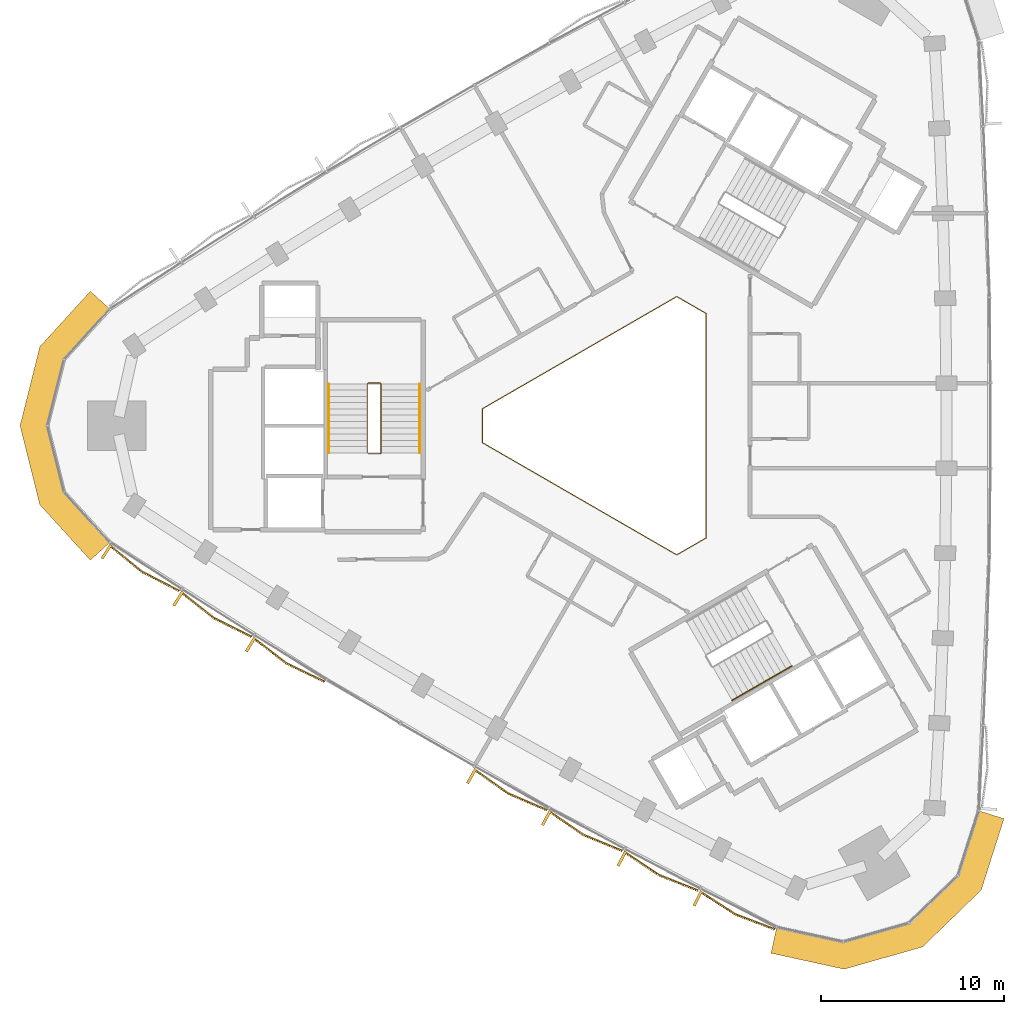
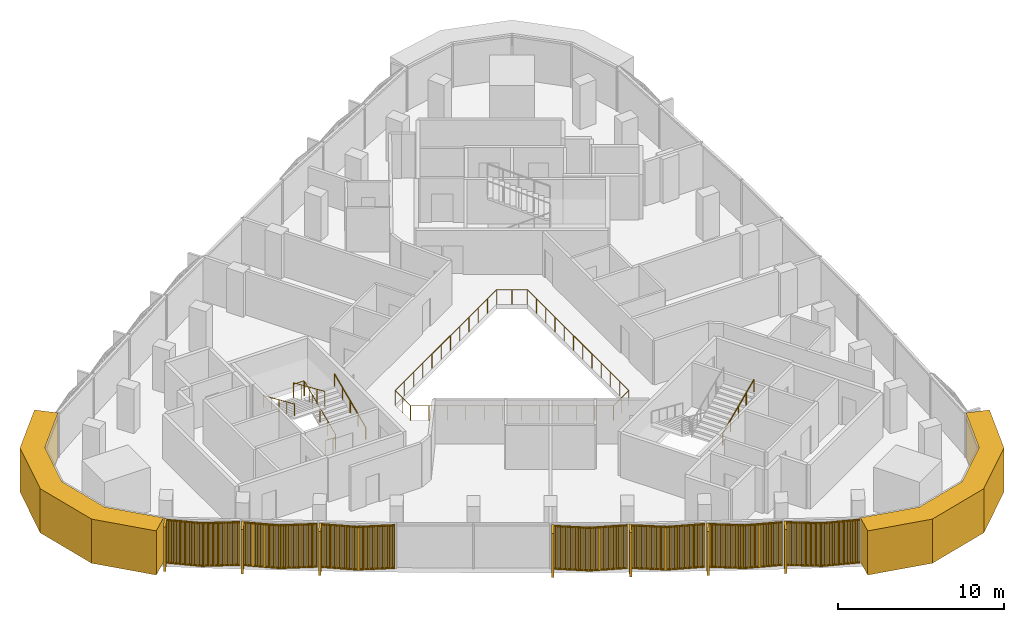
# One storey, part 11 of 13: 9 coverings, 5 railings.
"""IFC4 building model written with IfcOpenShell, lengths in metres."""

from ifc_helpers import new_model, si_unit, direction, frame, frame_2d, origin, origin_2d, place, context, subcontext, project, spatial, polyline, rectangle, circle, outline, extrude, source, transform, mapped, material, layer, layer_set, type_object, element, save


model = new_model("IFC4")

# Units and contexts
model_context = context("Model", 3, precision=1e-05, world=origin(), true_north=direction((0.0, 1.0)))
body_context = subcontext(model_context, "Body", "Model", "MODEL_VIEW")
ifc_project = project(units=[si_unit("LENGTHUNIT", "METRE"), si_unit("AREAUNIT", "SQUARE_METRE"), si_unit("VOLUMEUNIT", "CUBIC_METRE"), si_unit("PLANEANGLEUNIT", "RADIAN"), si_unit("MASSUNIT", "GRAM", prefix="KILO")], contexts=[model_context])

# Site, building, storey
site_placement = place(None, origin())
site = spatial("IfcSite", under=ifc_project, at=site_placement, CompositionType="ELEMENT")
building_placement = place(site_placement, origin())
building = spatial("IfcBuilding", under=site, at=building_placement, Name="Tamra Quay Hotel Tower", CompositionType="ELEMENT")
storey_placement = place(building_placement, frame((0.0, 0.0, 193.60009765625)))
storey = spatial("IfcBuildingStorey", under=building, at=storey_placement, Name="L48", CompositionType="ELEMENT", Elevation=193.60009765625)

# Coverings
ifc_material_1 = material(Name="Precast concrete M60 terracotta-coloured", Category="masonry")
ifc_layer = layer(ifc_material_1, 1.449951171875)
ifc_layer_set = layer_set([ifc_layer], Name="CORNER PIER PANEL")
covering_type_1 = type_object("IfcCoveringType", Name="CORNER PIER PANEL", PredefinedType="CLADDING", material=ifc_layer_set)
covering_1_placement = place(storey_placement, origin())
element("IfcCovering", 1, at=covering_1_placement, inside=storey, type_object=covering_type_1, Name="Corner pier L48.north-west", PredefinedType="CLADDING", context=body_context, shape_type="SweptSolid", body=[
    extrude(outline(polyline([(-27.928955078125, 6.36376953125), (-29.000732421875, 7.34033203125), (-31.754150390625, 4.318359375), (-32.83984375, 0.0), (-31.754150390625, -4.318359375), (-29.000732421875, -7.34033203125), (-27.928955078125, -6.36376953125), (-30.436767578125, -3.611083984375), (-31.3447265625, 0.0), (-30.436767578125, 3.611083984375), (-27.928955078125, 6.36376953125)])), origin(), (0.0, 0.0, 1.0), 3.25),
])
covering_2_placement = place(storey_placement, origin())
element("IfcCovering", 2, at=covering_2_placement, inside=storey, type_object=covering_type_1, Name="Corner pier L48.south-west", PredefinedType="CLADDING", context=body_context, shape_type="SweptSolid", body=[
    extrude(outline(polyline([(8.453369140625, -27.369140625), (8.1435546875, -28.78564453125), (12.13720703125, -29.6591796875), (16.419921875, -28.440185546875), (19.616943359375, -25.3408203125), (20.857421875, -21.4453125), (19.4755859375, -21.00537109375), (18.345703125, -24.553466796875), (15.67236328125, -27.1455078125), (12.091064453125, -28.164794921875), (8.453369140625, -27.369140625)])), origin(), (0.0, 0.0, 1.0), 3.25),
])

# Railings
ifc_material_2 = material(Name="Guard atrium edge 1100")
railing_type_1 = type_object("IfcRailingType", Name="Guard atrium edge 1100", PredefinedType="GUARDRAIL", material=ifc_material_2)
railing_1_placement = place(storey_placement, frame((4.60009765625, -6.1201171875, 0.0)))
element("IfcRailing", 3, at=railing_1_placement, inside=storey, type_object=railing_type_1, Name="G-A", PredefinedType="GUARDRAIL", context=body_context, shape_type="SweptSolid", body=[
    extrude(circle(Radius=0.02392578125, at=origin_2d()), frame((0.0, 0.0, 1.076171875), z_axis=(-0.86602275259, -0.500004591975, 0.0), x_axis=(0.500004591975, -0.86602275259, 0.0)), (0.0, 0.0, 1.0), 1.84765625),
    extrude(circle(Radius=0.02392578125, at=origin_2d()), frame((-1.60009765625, -0.923828125, 1.076171875), z_axis=(-0.866028806638, 0.499994106039, 0.0), x_axis=(-0.499994106039, -0.866028806638, 0.0)), (0.0, 0.0, 1.0), 12.239990234375),
    extrude(circle(Radius=0.02392578125, at=origin_2d()), frame((-12.2001953125, 5.196044921875, 1.076171875), z_axis=(0.0, 1.0, 0.0), x_axis=(-1.0, 0.0, 0.0)), (0.0, 0.0, 1.0), 1.84814453125),
    extrude(circle(Radius=0.02392578125, at=origin_2d()), frame((-12.2001953125, 7.044189453125, 1.076171875), z_axis=(0.866028806638, 0.499994106039, 0.0), x_axis=(-0.499994106039, 0.866028806638, 0.0)), (0.0, 0.0, 1.0), 12.239990234375),
    extrude(circle(Radius=0.02392578125, at=origin_2d()), frame((-1.60009765625, 13.1640625, 1.076171875), z_axis=(0.86602275259, -0.500004591975, 0.0), x_axis=(0.500004591975, 0.86602275259, 0.0)), (0.0, 0.0, 1.0), 1.84765625),
    extrude(circle(Radius=0.02392578125, at=origin_2d()), frame((0.0, 12.240234375, 1.076171875), z_axis=(0.0, -1.0, 0.0), x_axis=(1.0, 0.0, 0.0)), (0.0, 0.0, 1.0), 12.240234375),
    extrude(circle(Radius=0.02099609375, at=origin_2d()), origin(), (0.0, 0.0, 1.0), 1.052001953125),
    extrude(circle(Radius=0.02099609375, at=origin_2d()), frame((-0.800048828125, -0.4619140625, 0.0)), (0.0, 0.0, 1.0), 1.052001953125),
    extrude(circle(Radius=0.02099609375, at=origin_2d()), frame((-1.60009765625, -0.923828125, 0.0)), (0.0, 0.0, 1.0), 1.052001953125),
    extrude(circle(Radius=0.02099609375, at=origin_2d()), frame((-2.563720703125, -0.367431640625, 0.0)), (0.0, 0.0, 1.0), 1.052001953125),
    extrude(circle(Radius=0.02099609375, at=origin_2d()), frame((-3.52734375, 0.18896484375, 0.0)), (0.0, 0.0, 1.0), 1.052001953125),
    extrude(circle(Radius=0.02099609375, at=origin_2d()), frame((-4.490966796875, 0.7451171875, 0.0)), (0.0, 0.0, 1.0), 1.052001953125),
    extrude(circle(Radius=0.02099609375, at=origin_2d()), frame((-5.45458984375, 1.301513671875, 0.0)), (0.0, 0.0, 1.0), 1.052001953125),
    extrude(circle(Radius=0.02099609375, at=origin_2d()), frame((-6.418212890625, 1.85791015625, 0.0)), (0.0, 0.0, 1.0), 1.052001953125),
    extrude(circle(Radius=0.02099609375, at=origin_2d()), frame((-7.382080078125, 2.414306640625, 0.0)), (0.0, 0.0, 1.0), 1.052001953125),
    extrude(circle(Radius=0.02099609375, at=origin_2d()), frame((-8.345703125, 2.970703125, 0.0)), (0.0, 0.0, 1.0), 1.052001953125),
    extrude(circle(Radius=0.02099609375, at=origin_2d()), frame((-9.309326171875, 3.527099609375, 0.0)), (0.0, 0.0, 1.0), 1.052001953125),
    extrude(circle(Radius=0.02099609375, at=origin_2d()), frame((-10.27294921875, 4.083251953125, 0.0)), (0.0, 0.0, 1.0), 1.052001953125),
    extrude(circle(Radius=0.02099609375, at=origin_2d()), frame((-11.236572265625, 4.6396484375, 0.0)), (0.0, 0.0, 1.0), 1.052001953125),
    extrude(circle(Radius=0.02099609375, at=origin_2d()), frame((-12.2001953125, 5.196044921875, 0.0)), (0.0, 0.0, 1.0), 1.052001953125),
    extrude(circle(Radius=0.02099609375, at=origin_2d()), frame((-12.2001953125, 6.1201171875, 0.0)), (0.0, 0.0, 1.0), 1.052001953125),
    extrude(circle(Radius=0.02099609375, at=origin_2d()), frame((-12.2001953125, 7.044189453125, 0.0)), (0.0, 0.0, 1.0), 1.052001953125),
    extrude(circle(Radius=0.02099609375, at=origin_2d()), frame((-11.236572265625, 7.6005859375, 0.0)), (0.0, 0.0, 1.0), 1.052001953125),
    extrude(circle(Radius=0.02099609375, at=origin_2d()), frame((-10.27294921875, 8.156982421875, 0.0)), (0.0, 0.0, 1.0), 1.052001953125),
    extrude(circle(Radius=0.02099609375, at=origin_2d()), frame((-9.309326171875, 8.713134765625, 0.0)), (0.0, 0.0, 1.0), 1.052001953125),
    extrude(circle(Radius=0.02099609375, at=origin_2d()), frame((-8.345703125, 9.26953125, 0.0)), (0.0, 0.0, 1.0), 1.052001953125),
    extrude(circle(Radius=0.02099609375, at=origin_2d()), frame((-7.382080078125, 9.825927734375, 0.0)), (0.0, 0.0, 1.0), 1.052001953125),
    extrude(circle(Radius=0.02099609375, at=origin_2d()), frame((-6.418212890625, 10.38232421875, 0.0)), (0.0, 0.0, 1.0), 1.052001953125),
    extrude(circle(Radius=0.02099609375, at=origin_2d()), frame((-5.45458984375, 10.938720703125, 0.0)), (0.0, 0.0, 1.0), 1.052001953125),
    extrude(circle(Radius=0.02099609375, at=origin_2d()), frame((-4.490966796875, 11.4951171875, 0.0)), (0.0, 0.0, 1.0), 1.052001953125),
    extrude(circle(Radius=0.02099609375, at=origin_2d()), frame((-3.52734375, 12.05126953125, 0.0)), (0.0, 0.0, 1.0), 1.052001953125),
    extrude(circle(Radius=0.02099609375, at=origin_2d()), frame((-2.563720703125, 12.607666015625, 0.0)), (0.0, 0.0, 1.0), 1.052001953125),
    extrude(circle(Radius=0.02099609375, at=origin_2d()), frame((-1.60009765625, 13.1640625, 0.0)), (0.0, 0.0, 1.0), 1.052001953125),
    extrude(circle(Radius=0.02099609375, at=origin_2d()), frame((-0.800048828125, 12.7021484375, 0.0)), (0.0, 0.0, 1.0), 1.052001953125),
    extrude(circle(Radius=0.02099609375, at=origin_2d()), frame((0.0, 12.240234375, 0.0)), (0.0, 0.0, 1.0), 1.052001953125),
    extrude(circle(Radius=0.02099609375, at=origin_2d()), frame((0.0, 11.12744140625, 0.0)), (0.0, 0.0, 1.0), 1.052001953125),
    extrude(circle(Radius=0.02099609375, at=origin_2d()), frame((0.0, 10.0146484375, 0.0)), (0.0, 0.0, 1.0), 1.052001953125),
    extrude(circle(Radius=0.02099609375, at=origin_2d()), frame((0.0, 8.902099609375, 0.0)), (0.0, 0.0, 1.0), 1.052001953125),
    extrude(circle(Radius=0.02099609375, at=origin_2d()), frame((0.0, 7.789306640625, 0.0)), (0.0, 0.0, 1.0), 1.052001953125),
    extrude(circle(Radius=0.02099609375, at=origin_2d()), frame((0.0, 6.676513671875, 0.0)), (0.0, 0.0, 1.0), 1.052001953125),
    extrude(circle(Radius=0.02099609375, at=origin_2d()), frame((0.0, 5.563720703125, 0.0)), (0.0, 0.0, 1.0), 1.052001953125),
    extrude(circle(Radius=0.02099609375, at=origin_2d()), frame((0.0, 4.450927734375, 0.0)), (0.0, 0.0, 1.0), 1.052001953125),
    extrude(circle(Radius=0.02099609375, at=origin_2d()), frame((0.0, 3.338134765625, 0.0)), (0.0, 0.0, 1.0), 1.052001953125),
    extrude(circle(Radius=0.02099609375, at=origin_2d()), frame((0.0, 2.2255859375, 0.0)), (0.0, 0.0, 1.0), 1.052001953125),
    extrude(circle(Radius=0.02099609375, at=origin_2d()), frame((0.0, 1.11279296875, 0.0)), (0.0, 0.0, 1.0), 1.052001953125),
])
ifc_material_3 = material(Name="Stair guard 1100")
railing_type_2 = type_object("IfcRailingType", Name="Stair guard 1100", PredefinedType="GUARDRAIL", material=ifc_material_3)
railing_2_placement = place(storey_placement, frame((-13.84130859375, -1.530029296875, 0.0)))
element("IfcRailing", 4, at=railing_2_placement, inside=storey, type_object=railing_type_2, Name="GR", PredefinedType="GUARDRAIL", context=body_context, shape_type="SweptSolid", body=[
    extrude(circle(Radius=0.02392578125, at=origin_2d()), frame((0.0, 0.0, 1.076171875), z_axis=(1.0, 0.0, 0.0), x_axis=(0.0, 1.0, 0.0)), (0.0, 0.0, 1.0), 0.658935546875),
    extrude(circle(Radius=0.02392578125, at=origin_2d()), frame((0.658935546875, 0.0, 1.076171875), z_axis=(0.301912943143, 0.301912943143, 0.904266083366), x_axis=(-0.707106781187, 0.707106781187, 0.0)), (0.0, 0.0, 1.0), 0.165771484375),
    extrude(circle(Radius=0.02392578125, at=origin_2d()), frame((0.708984375, 0.050048828125, 1.22607421875), z_axis=(0.0, 0.915795495799, 0.401644880304), x_axis=(-1.0, 0.0, 0.0)), (0.0, 0.0, 1.0), 4.10791015625),
    extrude(circle(Radius=0.02392578125, at=origin_2d()), frame((0.708984375, 3.81201171875, 2.8759765625), z_axis=(-0.708833529934, 0.705375805398, 0.0), x_axis=(-0.705375805398, -0.708833529934, 0.0)), (0.0, 0.0, 1.0), 0.070556640625),
    extrude(circle(Radius=0.02392578125, at=origin_2d()), frame((0.658935546875, 3.86181640625, 2.8759765625), z_axis=(-1.0, 0.0, 0.0), x_axis=(0.0, -1.0, 0.0)), (0.0, 0.0, 1.0), 0.658935546875),
    extrude(circle(Radius=0.02392578125, at=origin_2d()), frame((0.0, 3.86181640625, 2.8759765625), z_axis=(-0.301644814947, -0.300173376825, 0.904934444842), x_axis=(0.705375805398, -0.708833529934, 0.0)), (0.0, 0.0, 1.0), 0.166015625),
    extrude(circle(Radius=0.02392578125, at=origin_2d()), frame((-0.050048828125, 3.81201171875, 3.02587890625), z_axis=(0.0, -0.915795495799, 0.401644880304), x_axis=(1.0, 0.0, 0.0)), (0.0, 0.0, 1.0), 4.10791015625),
    extrude(circle(Radius=0.02099609375, at=origin_2d()), origin(), (0.0, 0.0, 1.0), 1.052001953125),
    extrude(circle(Radius=0.02099609375, at=origin_2d()), frame((0.658935546875, 0.0, 0.0)), (0.0, 0.0, 1.0), 1.052001953125),
    extrude(circle(Radius=0.02099609375, at=origin_2d()), frame((0.708984375, 0.050048828125, 0.14990234375)), (0.0, 0.0, 1.0), 1.052001953125),
    extrude(circle(Radius=0.02099609375, at=origin_2d()), frame((0.708984375, 0.990478515625, 0.5625)), (0.0, 0.0, 1.0), 1.052001953125),
    extrude(circle(Radius=0.02099609375, at=origin_2d()), frame((0.708984375, 1.93115234375, 0.974853515625)), (0.0, 0.0, 1.0), 1.052001953125),
    extrude(circle(Radius=0.02099609375, at=origin_2d()), frame((0.708984375, 2.87158203125, 1.38720703125)), (0.0, 0.0, 1.0), 1.052001953125),
    extrude(circle(Radius=0.02099609375, at=origin_2d()), frame((0.708984375, 3.81201171875, 1.7998046875)), (0.0, 0.0, 1.0), 1.052001953125),
    extrude(circle(Radius=0.02099609375, at=origin_2d()), frame((0.658935546875, 3.86181640625, 1.7998046875)), (0.0, 0.0, 1.0), 1.052001953125),
    extrude(circle(Radius=0.02099609375, at=origin_2d()), frame((0.0, 3.86181640625, 1.7998046875)), (0.0, 0.0, 1.0), 1.052001953125),
    extrude(circle(Radius=0.02099609375, at=origin_2d()), frame((-0.050048828125, 3.81201171875, 1.949951171875)), (0.0, 0.0, 1.0), 1.052001953125),
    extrude(circle(Radius=0.02099609375, at=origin_2d()), frame((-0.050048828125, 2.87158203125, 2.3623046875)), (0.0, 0.0, 1.0), 1.052001953125),
    extrude(circle(Radius=0.02099609375, at=origin_2d()), frame((-0.050048828125, 1.93115234375, 2.77490234375)), (0.0, 0.0, 1.0), 1.052001953125),
    extrude(circle(Radius=0.02099609375, at=origin_2d()), frame((-0.050048828125, 0.990478515625, 3.1875)), (0.0, 0.0, 1.0), 1.052001953125),
    extrude(circle(Radius=0.02099609375, at=origin_2d()), frame((-0.050048828125, 0.050048828125, 3.599853515625)), (0.0, 0.0, 1.0), 1.052001953125),
])
ifc_material_4 = material(Name="Stair handrail 900")
railing_type_3 = type_object("IfcRailingType", Name="Stair handrail 900", PredefinedType="HANDRAIL", material=ifc_material_4)
railing_3_placement = place(storey_placement, frame((-11.0322265625, -1.47998046875, 0.14990234375)))
element("IfcRailing", 5, at=railing_3_placement, inside=storey, type_object=railing_type_3, Name="HR", PredefinedType="HANDRAIL", context=body_context, shape_type="SweptSolid", body=[
    extrude(circle(Radius=0.02392578125, at=origin_2d()), frame((0.0, 0.0, 0.8759765625), z_axis=(0.0, 0.915795495799, 0.401644880304), x_axis=(-1.0, 0.0, 0.0)), (0.0, 0.0, 1.0), 4.10791015625),
    extrude(circle(Radius=0.02099609375, at=origin_2d()), origin(), (0.0, 0.0, 1.0), 0.851806640625),
    extrude(circle(Radius=0.02099609375, at=origin_2d()), frame((0.0, 0.9404296875, 0.41259765625)), (0.0, 0.0, 1.0), 0.851806640625),
    extrude(circle(Radius=0.02099609375, at=origin_2d()), frame((0.0, 1.880859375, 0.824951171875)), (0.0, 0.0, 1.0), 0.851806640625),
    extrude(circle(Radius=0.02099609375, at=origin_2d()), frame((0.0, 2.821533203125, 1.2373046875)), (0.0, 0.0, 1.0), 0.851806640625),
    extrude(circle(Radius=0.02099609375, at=origin_2d()), frame((0.0, 3.761962890625, 1.64990234375)), (0.0, 0.0, 1.0), 0.851806640625),
])
railing_4_placement = place(storey_placement, frame((-15.9912109375, 2.281982421875, 1.949951171875)))
element("IfcRailing", 6, at=railing_4_placement, inside=storey, type_object=railing_type_3, Name="HR", PredefinedType="HANDRAIL", context=body_context, shape_type="SweptSolid", body=[
    extrude(circle(Radius=0.02392578125, at=origin_2d()), frame((0.0, 0.0, 0.8759765625), z_axis=(0.0, -0.915795495799, 0.401644880304), x_axis=(1.0, 0.0, 0.0)), (0.0, 0.0, 1.0), 4.10791015625),
    extrude(circle(Radius=0.02099609375, at=origin_2d()), origin(), (0.0, 0.0, 1.0), 0.851806640625),
    extrude(circle(Radius=0.02099609375, at=origin_2d()), frame((0.0, -0.9404296875, 0.41259765625)), (0.0, 0.0, 1.0), 0.851806640625),
    extrude(circle(Radius=0.02099609375, at=origin_2d()), frame((0.0, -1.880859375, 0.824951171875)), (0.0, 0.0, 1.0), 0.851806640625),
    extrude(circle(Radius=0.02099609375, at=origin_2d()), frame((0.0, -2.821533203125, 1.2373046875)), (0.0, 0.0, 1.0), 0.851806640625),
    extrude(circle(Radius=0.02099609375, at=origin_2d()), frame((0.0, -3.761962890625, 1.64990234375)), (0.0, 0.0, 1.0), 0.851806640625),
])
railing_5_placement = place(storey_placement, frame((6.01953125, -14.98974609375, 1.949951171875)))
element("IfcRailing", 7, at=railing_5_placement, inside=storey, type_object=railing_type_3, Name="HR", PredefinedType="HANDRAIL", context=body_context, shape_type="SweptSolid", body=[
    extrude(circle(Radius=0.02392578125, at=origin_2d()), frame((0.0, 0.0, 0.8759765625), z_axis=(0.79310004713, 0.457886897714, 0.401661429744), x_axis=(-0.499992114976, 0.866029956157, 0.0)), (0.0, 0.0, 1.0), 4.107666015625),
    extrude(circle(Radius=0.02099609375, at=origin_2d()), origin(), (0.0, 0.0, 1.0), 0.851806640625),
    extrude(circle(Radius=0.02099609375, at=origin_2d()), frame((0.814453125, 0.47021484375, 0.41259765625)), (0.0, 0.0, 1.0), 0.851806640625),
    extrude(circle(Radius=0.02099609375, at=origin_2d()), frame((1.62890625, 0.9404296875, 0.824951171875)), (0.0, 0.0, 1.0), 0.851806640625),
    extrude(circle(Radius=0.02099609375, at=origin_2d()), frame((2.443359375, 1.41064453125, 1.2373046875)), (0.0, 0.0, 1.0), 0.851806640625),
    extrude(circle(Radius=0.02099609375, at=origin_2d()), frame((3.2578125, 1.880859375, 1.64990234375)), (0.0, 0.0, 1.0), 0.851806640625),
])

# Coverings
ifc_material_5 = material(Name="Terracotta baguette extruded", Category="masonry")
covering_type_2 = type_object("IfcCoveringType", Name="BAGUETTE SCREEN SW-V H3250", PredefinedType="USERDEFINED", material=ifc_material_5)
shared_shape = source(origin(), body_context, "Body", "SweptSolid", [
    extrude(rectangle(XDim=2.30517578125, YDim=0.06005859375, at=frame_2d((1.152587890625, 0.030029296875))), frame((-2.298828125, -0.0576171875, -0.1201171875), z_axis=(0.0, 0.0, 1.0), x_axis=(0.994521895368, -0.104528463268, 0.0)), (0.0, 0.0, 1.0), 0.1201171875),
    extrude(rectangle(XDim=2.30517578125, YDim=0.06005859375, at=frame_2d((1.152587890625, 0.030029296875))), frame((-2.298828125, -0.0576171875, -3.25), z_axis=(0.0, 0.0, 1.0), x_axis=(0.994521895368, -0.104528463268, 0.0)), (0.0, 0.0, 1.0), 0.1201171875),
    extrude(rectangle(XDim=0.070068359375, YDim=0.10009765625, at=frame_2d((0.03515625, 0.050048828125))), frame((-2.277587890625, -0.13330078125, -3.18994140625)), (0.0, 0.0, 1.0), 3.1298828125),
    extrude(rectangle(XDim=0.070068359375, YDim=0.10009765625, at=frame_2d((0.03515625, 0.050048828125))), frame((-2.177978515625, -0.143798828125, -3.18994140625)), (0.0, 0.0, 1.0), 3.1298828125),
    extrude(rectangle(XDim=0.070068359375, YDim=0.10009765625, at=frame_2d((0.03515625, 0.050048828125))), frame((-2.078369140625, -0.154296875, -3.18994140625)), (0.0, 0.0, 1.0), 3.1298828125),
    extrude(rectangle(XDim=0.070068359375, YDim=0.10009765625, at=frame_2d((0.03515625, 0.050048828125))), frame((-1.978759765625, -0.16455078125, -3.18994140625)), (0.0, 0.0, 1.0), 3.1298828125),
    extrude(rectangle(XDim=0.070068359375, YDim=0.10009765625, at=frame_2d((0.03515625, 0.050048828125))), frame((-1.87890625, -0.175048828125, -3.18994140625)), (0.0, 0.0, 1.0), 3.1298828125),
    extrude(rectangle(XDim=0.070068359375, YDim=0.10009765625, at=frame_2d((0.03515625, 0.050048828125))), frame((-1.779296875, -0.185546875, -3.18994140625)), (0.0, 0.0, 1.0), 3.1298828125),
    extrude(rectangle(XDim=0.070068359375, YDim=0.10009765625, at=frame_2d((0.03515625, 0.050048828125))), frame((-1.6796875, -0.196044921875, -3.18994140625)), (0.0, 0.0, 1.0), 3.1298828125),
    extrude(rectangle(XDim=0.070068359375, YDim=0.10009765625, at=frame_2d((0.03515625, 0.050048828125))), frame((-1.579833984375, -0.20654296875, -3.18994140625)), (0.0, 0.0, 1.0), 3.1298828125),
    extrude(rectangle(XDim=0.070068359375, YDim=0.10009765625, at=frame_2d((0.03515625, 0.050048828125))), frame((-1.480224609375, -0.217041015625, -3.18994140625)), (0.0, 0.0, 1.0), 3.1298828125),
    extrude(rectangle(XDim=0.070068359375, YDim=0.10009765625, at=frame_2d((0.03515625, 0.050048828125))), frame((-1.380615234375, -0.2275390625, -3.18994140625)), (0.0, 0.0, 1.0), 3.1298828125),
    extrude(rectangle(XDim=0.070068359375, YDim=0.10009765625, at=frame_2d((0.03515625, 0.050048828125))), frame((-1.281005859375, -0.238037109375, -3.18994140625)), (0.0, 0.0, 1.0), 3.1298828125),
    extrude(rectangle(XDim=0.070068359375, YDim=0.10009765625, at=frame_2d((0.03515625, 0.050048828125))), frame((-1.18115234375, -0.24853515625, -3.18994140625)), (0.0, 0.0, 1.0), 3.1298828125),
    extrude(rectangle(XDim=0.070068359375, YDim=0.10009765625, at=frame_2d((0.03515625, 0.050048828125))), frame((-1.08154296875, -0.259033203125, -3.18994140625)), (0.0, 0.0, 1.0), 3.1298828125),
    extrude(rectangle(XDim=0.070068359375, YDim=0.10009765625, at=frame_2d((0.03515625, 0.050048828125))), frame((-0.98193359375, -0.26953125, -3.18994140625)), (0.0, 0.0, 1.0), 3.1298828125),
    extrude(rectangle(XDim=0.070068359375, YDim=0.10009765625, at=frame_2d((0.03515625, 0.050048828125))), frame((-0.88232421875, -0.27978515625, -3.18994140625)), (0.0, 0.0, 1.0), 3.1298828125),
    extrude(rectangle(XDim=0.070068359375, YDim=0.10009765625, at=frame_2d((0.03515625, 0.050048828125))), frame((-0.782470703125, -0.290283203125, -3.18994140625)), (0.0, 0.0, 1.0), 3.1298828125),
    extrude(rectangle(XDim=0.070068359375, YDim=0.10009765625, at=frame_2d((0.03515625, 0.050048828125))), frame((-0.682861328125, -0.30078125, -3.18994140625)), (0.0, 0.0, 1.0), 3.1298828125),
    extrude(rectangle(XDim=0.070068359375, YDim=0.10009765625, at=frame_2d((0.03515625, 0.050048828125))), frame((-0.583251953125, -0.311279296875, -3.18994140625)), (0.0, 0.0, 1.0), 3.1298828125),
    extrude(rectangle(XDim=0.070068359375, YDim=0.10009765625, at=frame_2d((0.03515625, 0.050048828125))), frame((-0.483642578125, -0.32177734375, -3.18994140625)), (0.0, 0.0, 1.0), 3.1298828125),
    extrude(rectangle(XDim=0.070068359375, YDim=0.10009765625, at=frame_2d((0.03515625, 0.050048828125))), frame((-0.3837890625, -0.332275390625, -3.18994140625)), (0.0, 0.0, 1.0), 3.1298828125),
    extrude(rectangle(XDim=0.070068359375, YDim=0.10009765625, at=frame_2d((0.03515625, 0.050048828125))), frame((-0.2841796875, -0.3427734375, -3.18994140625)), (0.0, 0.0, 1.0), 3.1298828125),
    extrude(rectangle(XDim=0.070068359375, YDim=0.10009765625, at=frame_2d((0.03515625, 0.050048828125))), frame((-0.1845703125, -0.353271484375, -3.18994140625)), (0.0, 0.0, 1.0), 3.1298828125),
    extrude(rectangle(XDim=0.070068359375, YDim=0.10009765625, at=frame_2d((0.03515625, 0.050048828125))), frame((-0.0849609375, -0.36376953125, -3.18994140625)), (0.0, 0.0, 1.0), 3.1298828125),
    extrude(rectangle(XDim=2.30517578125, YDim=0.06005859375, at=frame_2d((1.152587890625, 0.030029296875))), frame((0.00634765625, -0.298583984375, -0.1201171875), z_axis=(0.0, 0.0, 1.0), x_axis=(0.994521895368, 0.104528463268, 0.0)), (0.0, 0.0, 1.0), 0.1201171875),
    extrude(rectangle(XDim=2.30517578125, YDim=0.06005859375, at=frame_2d((1.152587890625, 0.030029296875))), frame((0.00634765625, -0.298583984375, -3.25), z_axis=(0.0, 0.0, 1.0), x_axis=(0.994521895368, 0.104528463268, 0.0)), (0.0, 0.0, 1.0), 0.1201171875),
    extrude(rectangle(XDim=0.070068359375, YDim=0.10009765625, at=frame_2d((0.03515625, 0.050048828125))), frame((0.014892578125, -0.36376953125, -3.18994140625)), (0.0, 0.0, 1.0), 3.1298828125),
    extrude(rectangle(XDim=0.070068359375, YDim=0.10009765625, at=frame_2d((0.03515625, 0.050048828125))), frame((0.114501953125, -0.353271484375, -3.18994140625)), (0.0, 0.0, 1.0), 3.1298828125),
    extrude(rectangle(XDim=0.070068359375, YDim=0.10009765625, at=frame_2d((0.03515625, 0.050048828125))), frame((0.214111328125, -0.3427734375, -3.18994140625)), (0.0, 0.0, 1.0), 3.1298828125),
    extrude(rectangle(XDim=0.070068359375, YDim=0.10009765625, at=frame_2d((0.03515625, 0.050048828125))), frame((0.31396484375, -0.332275390625, -3.18994140625)), (0.0, 0.0, 1.0), 3.1298828125),
    extrude(rectangle(XDim=0.070068359375, YDim=0.10009765625, at=frame_2d((0.03515625, 0.050048828125))), frame((0.41357421875, -0.32177734375, -3.18994140625)), (0.0, 0.0, 1.0), 3.1298828125),
    extrude(rectangle(XDim=0.070068359375, YDim=0.10009765625, at=frame_2d((0.03515625, 0.050048828125))), frame((0.51318359375, -0.311279296875, -3.18994140625)), (0.0, 0.0, 1.0), 3.1298828125),
    extrude(rectangle(XDim=0.070068359375, YDim=0.10009765625, at=frame_2d((0.03515625, 0.050048828125))), frame((0.61279296875, -0.30078125, -3.18994140625)), (0.0, 0.0, 1.0), 3.1298828125),
    extrude(rectangle(XDim=0.070068359375, YDim=0.10009765625, at=frame_2d((0.03515625, 0.050048828125))), frame((0.712646484375, -0.290283203125, -3.18994140625)), (0.0, 0.0, 1.0), 3.1298828125),
    extrude(rectangle(XDim=0.070068359375, YDim=0.10009765625, at=frame_2d((0.03515625, 0.050048828125))), frame((0.812255859375, -0.27978515625, -3.18994140625)), (0.0, 0.0, 1.0), 3.1298828125),
    extrude(rectangle(XDim=0.070068359375, YDim=0.10009765625, at=frame_2d((0.03515625, 0.050048828125))), frame((0.911865234375, -0.26953125, -3.18994140625)), (0.0, 0.0, 1.0), 3.1298828125),
    extrude(rectangle(XDim=0.070068359375, YDim=0.10009765625, at=frame_2d((0.03515625, 0.050048828125))), frame((1.011474609375, -0.259033203125, -3.18994140625)), (0.0, 0.0, 1.0), 3.1298828125),
    extrude(rectangle(XDim=0.070068359375, YDim=0.10009765625, at=frame_2d((0.03515625, 0.050048828125))), frame((1.111328125, -0.24853515625, -3.18994140625)), (0.0, 0.0, 1.0), 3.1298828125),
    extrude(rectangle(XDim=0.070068359375, YDim=0.10009765625, at=frame_2d((0.03515625, 0.050048828125))), frame((1.2109375, -0.238037109375, -3.18994140625)), (0.0, 0.0, 1.0), 3.1298828125),
    extrude(rectangle(XDim=0.070068359375, YDim=0.10009765625, at=frame_2d((0.03515625, 0.050048828125))), frame((1.310546875, -0.2275390625, -3.18994140625)), (0.0, 0.0, 1.0), 3.1298828125),
    extrude(rectangle(XDim=0.070068359375, YDim=0.10009765625, at=frame_2d((0.03515625, 0.050048828125))), frame((1.41015625, -0.217041015625, -3.18994140625)), (0.0, 0.0, 1.0), 3.1298828125),
    extrude(rectangle(XDim=0.070068359375, YDim=0.10009765625, at=frame_2d((0.03515625, 0.050048828125))), frame((1.510009765625, -0.20654296875, -3.18994140625)), (0.0, 0.0, 1.0), 3.1298828125),
    extrude(rectangle(XDim=0.070068359375, YDim=0.10009765625, at=frame_2d((0.03515625, 0.050048828125))), frame((1.609619140625, -0.196044921875, -3.18994140625)), (0.0, 0.0, 1.0), 3.1298828125),
    extrude(rectangle(XDim=0.070068359375, YDim=0.10009765625, at=frame_2d((0.03515625, 0.050048828125))), frame((1.709228515625, -0.185546875, -3.18994140625)), (0.0, 0.0, 1.0), 3.1298828125),
    extrude(rectangle(XDim=0.070068359375, YDim=0.10009765625, at=frame_2d((0.03515625, 0.050048828125))), frame((1.80908203125, -0.175048828125, -3.18994140625)), (0.0, 0.0, 1.0), 3.1298828125),
    extrude(rectangle(XDim=0.070068359375, YDim=0.10009765625, at=frame_2d((0.03515625, 0.050048828125))), frame((1.90869140625, -0.16455078125, -3.18994140625)), (0.0, 0.0, 1.0), 3.1298828125),
    extrude(rectangle(XDim=0.070068359375, YDim=0.10009765625, at=frame_2d((0.03515625, 0.050048828125))), frame((2.00830078125, -0.154296875, -3.18994140625)), (0.0, 0.0, 1.0), 3.1298828125),
    extrude(rectangle(XDim=0.070068359375, YDim=0.10009765625, at=frame_2d((0.03515625, 0.050048828125))), frame((2.10791015625, -0.143798828125, -3.18994140625)), (0.0, 0.0, 1.0), 3.1298828125),
    extrude(rectangle(XDim=0.070068359375, YDim=0.10009765625, at=frame_2d((0.03515625, 0.050048828125))), frame((2.207763671875, -0.13330078125, -3.18994140625)), (0.0, 0.0, 1.0), 3.1298828125),
    extrude(rectangle(XDim=0.14990234375, YDim=0.902099609375, at=frame_2d((0.074951171875, 0.451171875))), frame((-2.29248046875, -0.89990234375, -3.25)), (0.0, 0.0, 1.0), 3.25),
])
for number, where, z_axis, x_axis, name in (
    (8, (-26.0224609375, -7.71533203125, 3.25), (0.0, 0.0, 1.0), (0.836986459463, -0.547223598428, 0.0), "Baguette screen L48.SW.f00"),
    (9, (-22.094482421875, -10.244873046875, 3.25), (0.0, 0.0, 1.0), (0.844476178502, -0.535593114167, 0.0), "Baguette screen L48.SW.f01"),
    (10, (-18.132080078125, -12.719482421875, 3.25), (0.0, 0.0, 1.0), (0.851815012775, -0.523842709229, 0.0), "Baguette screen L48.SW.f02"),
    (11, (-6.04296875, -19.8115234375, 3.25), (0.0, 0.0, 1.0), (0.872885132113, -0.487925758836, 0.0), "Baguette screen L48.SW.f05"),
    (12, (-1.949462890625, -22.062744140625, 3.25), (0.0, 0.0, 1.0), (0.879568600166, -0.475772085773, 0.0), "Baguette screen L48.SW.f06"),
    (13, (2.175048828125, -24.2568359375, 3.25), (0.0, 0.0, 1.0), (0.886075332211, -0.46354126639, 0.0), "Baguette screen L48.SW.f07"),
    (14, (6.32958984375, -26.393798828125, 3.25), (0.0, 0.0, 1.0), (0.89240276752, -0.451239737304, 0.0), "Baguette screen L48.SW.f08"),
):
    element("IfcCovering", number, at=place(storey_placement, frame(where, z_axis=z_axis, x_axis=x_axis)), inside=storey, type_object=covering_type_2, Name=name, ObjectType="BAGUETTE SCREEN", PredefinedType="USERDEFINED", context=body_context, shape_type="MappedRepresentation", body=[
        mapped(shared_shape, transform((0.0, 0.0, 0.0), scale=1.0)),
    ])

save(model, "model.ifc")
